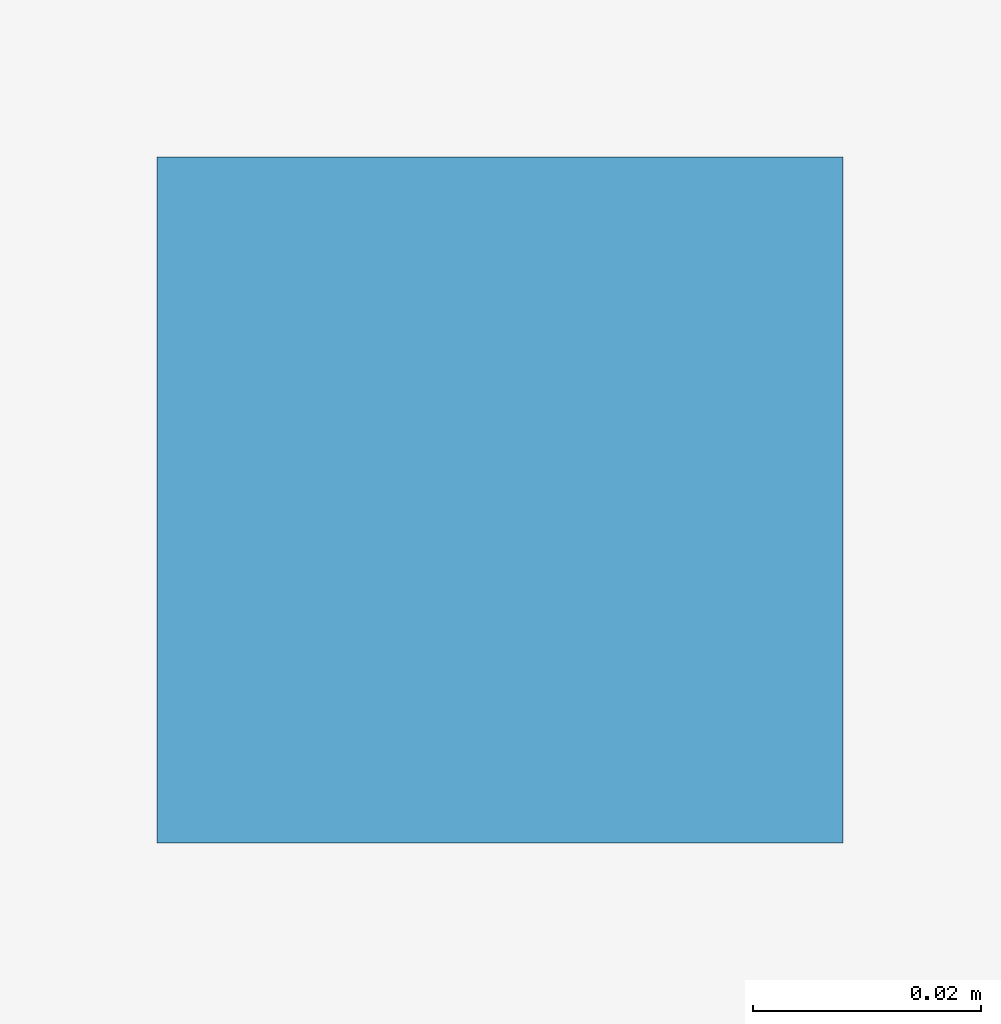
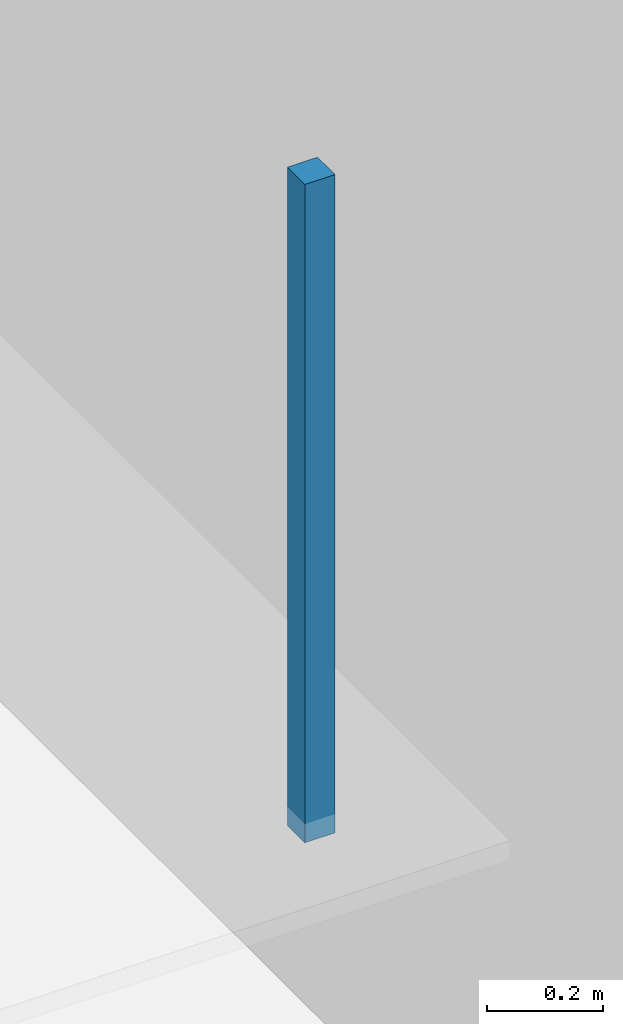
# One storey, part 104 of 124: 1 discrete accessory.
"""IFC4 building model written with IfcOpenShell, lengths in metres."""

import ifcopenshell
import ifcopenshell.guid

model = None  # the IFC model being written
_history = None  # IfcOwnerHistory: only IFC2X3 demands one
_inside = {}  # id of a spatial element -> (the spatial element, [elements in it])
_under = {}  # id of a project, library or spatial element -> (it, [spatial elements below it])
_declared = {}  # id of a project -> (the project, [libraries it declares])
_typed = {}  # id of a type object -> (the type object, [elements of that type])
_made_of = {}  # id of a material, layer set ... -> (it, [elements and type objects made of it])


def new_model(schema):
    """Start an empty IFC model of exactly this schema.

    Asked for "IFC4X3", IfcOpenShell would pick the latest addendum, in which some entities
    have other attributes; the version numbers below select the first issue.
    IFC2X3 requires an IfcOwnerHistory on every rooted entity: one is made here for all.
    """
    global model, _history
    if schema == "IFC4X3":
        model = ifcopenshell.file(schema_version=(4, 3, 0, 0))
    else:
        model = ifcopenshell.file(schema=schema)
    _inside.clear()
    _under.clear()
    _declared.clear()
    _typed.clear()
    _made_of.clear()
    _history = None
    if model.schema == "IFC2X3":
        org = make("IfcOrganization", Name="unknown")
        user = make(
            "IfcPersonAndOrganization",
            ThePerson=make("IfcPerson", FamilyName="unknown"),
            TheOrganization=org,
        )
        app = make(
            "IfcApplication",
            ApplicationDeveloper=org,
            Version="unknown",
            ApplicationFullName="unknown",
            ApplicationIdentifier="unknown",
        )
        _history = make(
            "IfcOwnerHistory",
            OwningUser=user,
            OwningApplication=app,
            ChangeAction="ADDED",
            CreationDate=0,
        )
    return model


def make(cls, **values):
    """One entity of the class cls with the attributes given. An attribute that is None is left unset."""
    return model.create_entity(
        cls, **{name: value for name, value in values.items() if value is not None}
    )


def rooted(cls, **values):
    """An entity with a GlobalId (a new one), such as an element, a storey or a relation."""
    return make(cls, GlobalId=ifcopenshell.guid.new(), OwnerHistory=_history, **values)


def si_unit(unit_type, name, prefix=None):
    """IfcSIUnit, for example si_unit("LENGTHUNIT", "METRE", prefix="MILLI")."""
    return make("IfcSIUnit", UnitType=unit_type, Prefix=prefix, Name=name)


def assignment(units):
    """IfcUnitAssignment: the units of a project."""
    return None if units is None else make("IfcUnitAssignment", Units=units)


def point(xyz):
    """IfcCartesianPoint."""
    return None if xyz is None else make("IfcCartesianPoint", Coordinates=xyz)


def direction(xyz):
    """IfcDirection."""
    return None if xyz is None else make("IfcDirection", DirectionRatios=xyz)


def frame(location, z_axis=None, x_axis=None):
    """IfcAxis2Placement3D, a coordinate frame: its origin and axes. An axis left out is left unset."""
    return make(
        "IfcAxis2Placement3D",
        Location=point(location),
        Axis=direction(z_axis),
        RefDirection=direction(x_axis),
    )


def frame_2d(location, x_axis=None):
    """IfcAxis2Placement2D, a coordinate frame in the plane: its origin and x axis."""
    return make(
        "IfcAxis2Placement2D", Location=point(location), RefDirection=direction(x_axis)
    )


def origin():
    """The frame at (0, 0, 0) with its axes left unset."""
    return frame((0.0, 0.0, 0.0))


def origin_2d():
    """The frame at (0, 0) in the plane with its x axis left unset."""
    return frame_2d((0.0, 0.0))


def place(relative_to, where):
    """IfcLocalPlacement: puts the frame where relative to a parent placement (None: the world)."""
    return make(
        "IfcLocalPlacement", PlacementRelTo=relative_to, RelativePlacement=where
    )


def context(
    kind, dimensions, precision=None, world=None, true_north=None, identifier=None
):
    """IfcGeometricRepresentationContext, for example the 3D "Model" context."""
    return make(
        "IfcGeometricRepresentationContext",
        ContextIdentifier=identifier,
        ContextType=kind,
        CoordinateSpaceDimension=dimensions,
        Precision=precision,
        WorldCoordinateSystem=world,
        TrueNorth=true_north,
    )


def subcontext(parent, identifier, kind, view, scale=None):
    """IfcGeometricRepresentationSubContext, for example "Body" below "Model"."""
    return make(
        "IfcGeometricRepresentationSubContext",
        ContextIdentifier=identifier,
        ContextType=kind,
        ParentContext=parent,
        TargetScale=scale,
        TargetView=view,
    )


def project(units=None, contexts=None):
    """IfcProject with its units and contexts."""
    return rooted(
        "IfcProject",
        Name="project",
        RepresentationContexts=contexts,
        UnitsInContext=assignment(units),
    )


def spatial(cls, under=None, at=None, **own):
    """A site, building, storey or space (cls), placed at a placement, below another one or the project."""
    s = rooted(cls, ObjectPlacement=at, **own)
    if under is not None:
        _under.setdefault(under.id(), (under, []))[1].append(s)
    return s


def profile(cls, at=None, kind="AREA", **sizes):
    """A parametric profile (cls). Its sizes go by their IFC names, for example OverallWidth=200.0."""
    return make(cls, ProfileType=kind, Position=at, **sizes)


def rectangle(**sizes):
    """IfcRectangleProfileDef."""
    return profile("IfcRectangleProfileDef", **sizes)


def extrude(swept, where, along, depth):
    """IfcExtrudedAreaSolid: the profile swept, set in the frame where, extruded along a direction by depth."""
    return make(
        "IfcExtrudedAreaSolid",
        SweptArea=swept,
        Position=where,
        ExtrudedDirection=direction(along),
        Depth=depth,
    )


def shape(context_of_items, identifier, shape_type, items):
    """IfcShapeRepresentation: the items that make up one representation, for example the "Body"."""
    return make(
        "IfcShapeRepresentation",
        ContextOfItems=context_of_items,
        RepresentationIdentifier=identifier,
        RepresentationType=shape_type,
        Items=items,
    )


def material(Name=None, Category=None):
    """IfcMaterial."""
    return make("IfcMaterial", Name=Name, Category=Category)


def made_of(thing, what):
    """Note that an element or type object is made of a material, layer set ...; save() writes the relation."""
    if what is not None:
        _made_of.setdefault(what.id(), (what, []))[1].append(thing)
    return thing


def type_object(cls, material=None, **own):
    """A type object (cls), such as IfcWallType, which elements share."""
    return made_of(rooted(cls, **own), material)


def element(
    cls,
    number,
    at=None,
    inside=None,
    cuts=None,
    type_object=None,
    material=None,
    context=None,
    identifier="Body",
    shape_type=None,
    held_by="IfcProductDefinitionShape",
    body=None,
    shapes=None,
    **own,
):
    """One element of the class cls, such as IfcWall. Its Tag is "e" and its number.

    at: its placement. inside: the storey or other place that contains it. cuts: it is an
    opening in that element (IfcRelVoidsElement). A single representation is given by context,
    identifier, shape_type and body (its items); several are given by shapes. held_by: the class
    of the entity that holds the representations. save() writes the other relations.
    """
    e = rooted(cls, Tag="e%d" % number, ObjectPlacement=at, **own)
    if body is not None:
        shapes = [shape(context, identifier, shape_type, body)]
    if shapes is not None:
        e.Representation = make(held_by, Representations=shapes)
    if inside is not None:
        _inside.setdefault(inside.id(), (inside, []))[1].append(e)
    if cuts is not None:
        rooted(
            "IfcRelVoidsElement", RelatingBuildingElement=cuts, RelatedOpeningElement=e
        )
    if type_object is not None:
        _typed.setdefault(type_object.id(), (type_object, []))[1].append(e)
    return made_of(e, material)


def aggregate(whole, parts):
    """IfcRelAggregates: a whole, such as a stair, and the parts it consists of."""
    return rooted("IfcRelAggregates", RelatingObject=whole, RelatedObjects=parts)


def save(model, path):
    """Write the relations noted so far, then the file.

    IfcRelAggregates (storeys below a building ...), IfcRelContainedInSpatialStructure (elements
    in a storey), IfcRelDefinesByType, IfcRelAssociatesMaterial and IfcRelDeclares: one each for
    every whole, place, type object, material and project.
    """
    for whole, parts in _under.values():
        aggregate(whole, parts)
    for where, things in _inside.values():
        rooted(
            "IfcRelContainedInSpatialStructure",
            RelatedElements=things,
            RelatingStructure=where,
        )
    for kind, things in _typed.values():
        rooted("IfcRelDefinesByType", RelatedObjects=things, RelatingType=kind)
    for what, things in _made_of.values():
        rooted("IfcRelAssociatesMaterial", RelatedObjects=things, RelatingMaterial=what)
    for by, libraries in _declared.values():
        rooted("IfcRelDeclares", RelatingContext=by, RelatedDefinitions=libraries)
    model.write(path)


model = new_model("IFC4")

# Units and contexts
model_context = context("Model", 3, precision=1e-05, world=origin(), true_north=direction((0.0, 1.0)))
body_context = subcontext(model_context, "Body", "Model", "MODEL_VIEW")
ifc_project = project(units=[si_unit("LENGTHUNIT", "METRE"), si_unit("AREAUNIT", "SQUARE_METRE"), si_unit("VOLUMEUNIT", "CUBIC_METRE"), si_unit("PLANEANGLEUNIT", "RADIAN"), si_unit("MASSUNIT", "GRAM", prefix="KILO")], contexts=[model_context])

# Site, building, storey
site_placement = place(None, origin())
site = spatial("IfcSite", under=ifc_project, at=site_placement, CompositionType="ELEMENT")
building_placement = place(site_placement, origin())
building = spatial("IfcBuilding", under=site, at=building_placement, Name="Sundkrona Museum", CompositionType="ELEMENT")
storey_placement = place(building_placement, frame((0.0, 0.0, 17.60009765625)))
storey = spatial("IfcBuildingStorey", under=building, at=storey_placement, Name="L03", CompositionType="ELEMENT", Elevation=17.60009765625)

# Discrete accessory
ifc_material = material(Name="Stainless Steel EN 1.4404 Cleat", Category="steel")
discrete_accessory_type = type_object("IfcDiscreteAccessoryType", Name="BRK-FIN-01", PredefinedType="BRACKET", material=ifc_material)
discrete_accessory_placement = place(storey_placement, frame((163.75, 50.449951171875, 2.550048828125), z_axis=(0.0, 0.0, 1.0), x_axis=(1.0, 0.0, 0.0)))
element("IfcDiscreteAccessory", 1, at=discrete_accessory_placement, inside=storey, type_object=discrete_accessory_type, Name="L03 Imaging and Photogrammetry Studio Ceiling Hanger 2", PredefinedType="BRACKET", context=body_context, shape_type="SweptSolid", body=[
    extrude(rectangle(XDim=0.06005859375, YDim=0.06005859375, at=origin_2d()), origin(), (0.0, 0.0, 1.0), 1.3798828125),
])

save(model, "model.ifc")
